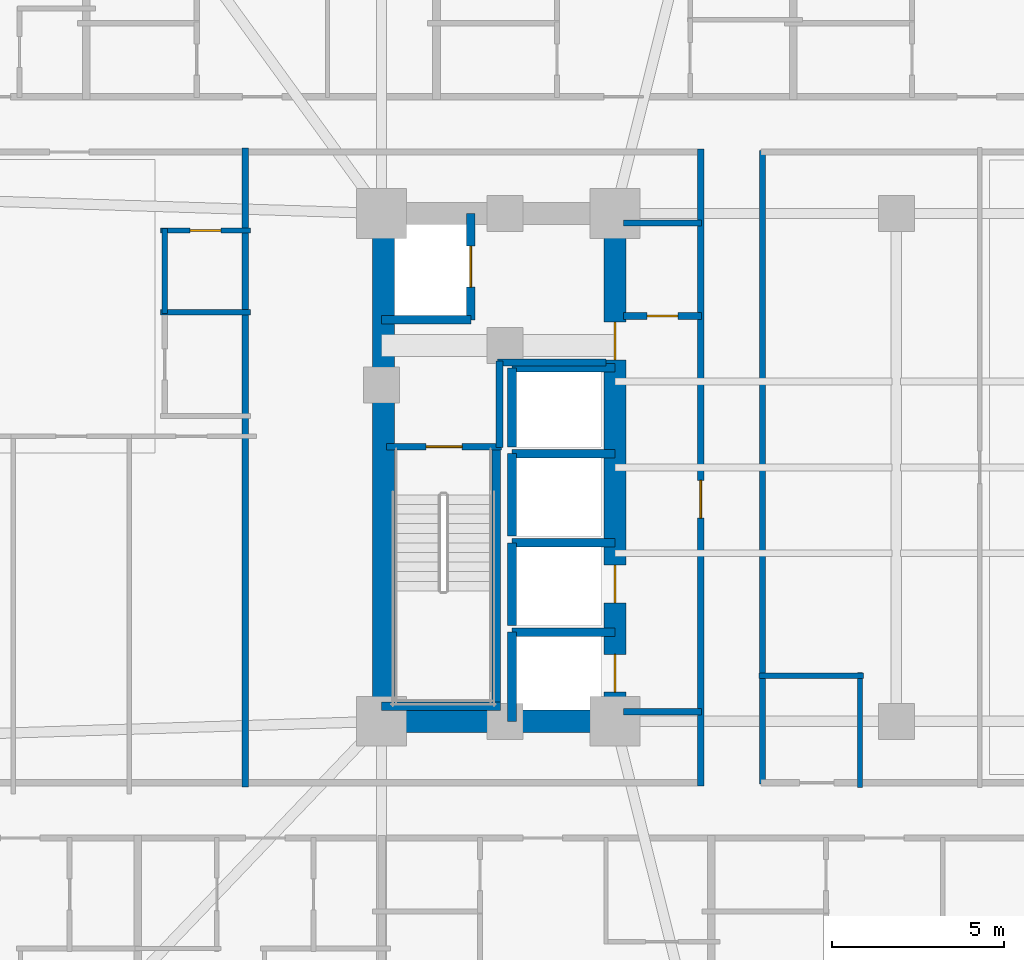
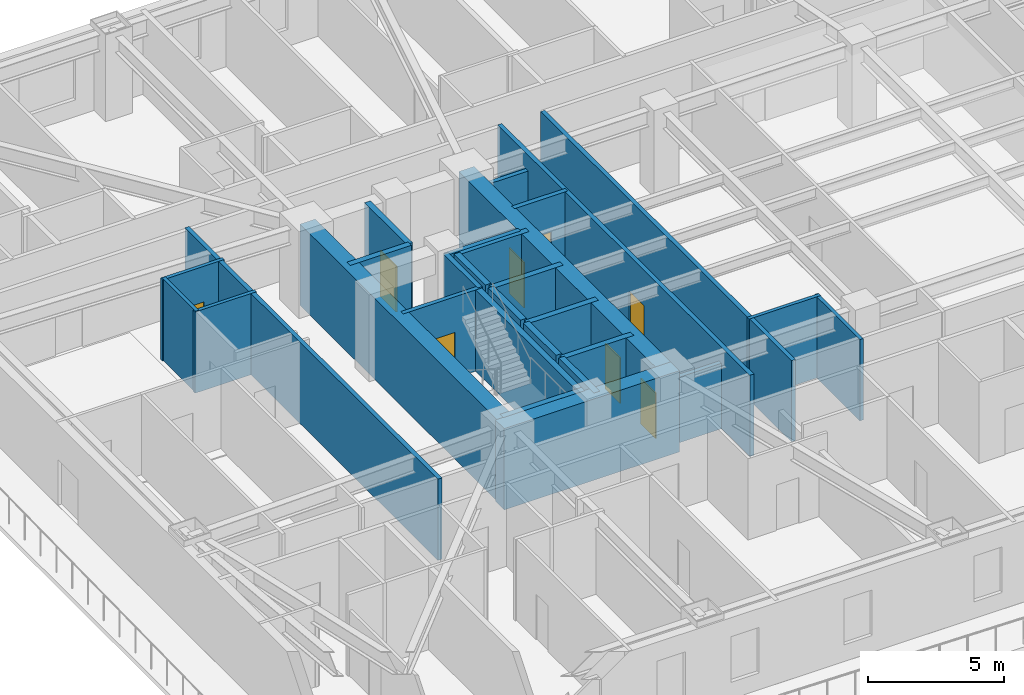
# One storey, part 4 of 14: 29 walls, 8 doors, 8 openings.
"""IFC4 building model written with IfcOpenShell, lengths in metres."""

import ifcopenshell
import ifcopenshell.guid

model = None  # the IFC model being written
_history = None  # IfcOwnerHistory: only IFC2X3 demands one
_inside = {}  # id of a spatial element -> (the spatial element, [elements in it])
_under = {}  # id of a project, library or spatial element -> (it, [spatial elements below it])
_declared = {}  # id of a project -> (the project, [libraries it declares])
_typed = {}  # id of a type object -> (the type object, [elements of that type])
_made_of = {}  # id of a material, layer set ... -> (it, [elements and type objects made of it])


def new_model(schema):
    """Start an empty IFC model of exactly this schema.

    Asked for "IFC4X3", IfcOpenShell would pick the latest addendum, in which some entities
    have other attributes; the version numbers below select the first issue.
    IFC2X3 requires an IfcOwnerHistory on every rooted entity: one is made here for all.
    """
    global model, _history
    if schema == "IFC4X3":
        model = ifcopenshell.file(schema_version=(4, 3, 0, 0))
    else:
        model = ifcopenshell.file(schema=schema)
    _inside.clear()
    _under.clear()
    _declared.clear()
    _typed.clear()
    _made_of.clear()
    _history = None
    if model.schema == "IFC2X3":
        org = make("IfcOrganization", Name="unknown")
        user = make(
            "IfcPersonAndOrganization",
            ThePerson=make("IfcPerson", FamilyName="unknown"),
            TheOrganization=org,
        )
        app = make(
            "IfcApplication",
            ApplicationDeveloper=org,
            Version="unknown",
            ApplicationFullName="unknown",
            ApplicationIdentifier="unknown",
        )
        _history = make(
            "IfcOwnerHistory",
            OwningUser=user,
            OwningApplication=app,
            ChangeAction="ADDED",
            CreationDate=0,
        )
    return model


def make(cls, **values):
    """One entity of the class cls with the attributes given. An attribute that is None is left unset."""
    return model.create_entity(
        cls, **{name: value for name, value in values.items() if value is not None}
    )


def rooted(cls, **values):
    """An entity with a GlobalId (a new one), such as an element, a storey or a relation."""
    return make(cls, GlobalId=ifcopenshell.guid.new(), OwnerHistory=_history, **values)


def si_unit(unit_type, name, prefix=None):
    """IfcSIUnit, for example si_unit("LENGTHUNIT", "METRE", prefix="MILLI")."""
    return make("IfcSIUnit", UnitType=unit_type, Prefix=prefix, Name=name)


def assignment(units):
    """IfcUnitAssignment: the units of a project."""
    return None if units is None else make("IfcUnitAssignment", Units=units)


def point(xyz):
    """IfcCartesianPoint."""
    return None if xyz is None else make("IfcCartesianPoint", Coordinates=xyz)


def direction(xyz):
    """IfcDirection."""
    return None if xyz is None else make("IfcDirection", DirectionRatios=xyz)


def frame(location, z_axis=None, x_axis=None):
    """IfcAxis2Placement3D, a coordinate frame: its origin and axes. An axis left out is left unset."""
    return make(
        "IfcAxis2Placement3D",
        Location=point(location),
        Axis=direction(z_axis),
        RefDirection=direction(x_axis),
    )


def frame_2d(location, x_axis=None):
    """IfcAxis2Placement2D, a coordinate frame in the plane: its origin and x axis."""
    return make(
        "IfcAxis2Placement2D", Location=point(location), RefDirection=direction(x_axis)
    )


def origin():
    """The frame at (0, 0, 0) with its axes left unset."""
    return frame((0.0, 0.0, 0.0))


def place(relative_to, where):
    """IfcLocalPlacement: puts the frame where relative to a parent placement (None: the world)."""
    return make(
        "IfcLocalPlacement", PlacementRelTo=relative_to, RelativePlacement=where
    )


def context(
    kind, dimensions, precision=None, world=None, true_north=None, identifier=None
):
    """IfcGeometricRepresentationContext, for example the 3D "Model" context."""
    return make(
        "IfcGeometricRepresentationContext",
        ContextIdentifier=identifier,
        ContextType=kind,
        CoordinateSpaceDimension=dimensions,
        Precision=precision,
        WorldCoordinateSystem=world,
        TrueNorth=true_north,
    )


def subcontext(parent, identifier, kind, view, scale=None):
    """IfcGeometricRepresentationSubContext, for example "Body" below "Model"."""
    return make(
        "IfcGeometricRepresentationSubContext",
        ContextIdentifier=identifier,
        ContextType=kind,
        ParentContext=parent,
        TargetScale=scale,
        TargetView=view,
    )


def project(units=None, contexts=None):
    """IfcProject with its units and contexts."""
    return rooted(
        "IfcProject",
        Name="project",
        RepresentationContexts=contexts,
        UnitsInContext=assignment(units),
    )


def spatial(cls, under=None, at=None, **own):
    """A site, building, storey or space (cls), placed at a placement, below another one or the project."""
    s = rooted(cls, ObjectPlacement=at, **own)
    if under is not None:
        _under.setdefault(under.id(), (under, []))[1].append(s)
    return s


def profile(cls, at=None, kind="AREA", **sizes):
    """A parametric profile (cls). Its sizes go by their IFC names, for example OverallWidth=200.0."""
    return make(cls, ProfileType=kind, Position=at, **sizes)


def rectangle(**sizes):
    """IfcRectangleProfileDef."""
    return profile("IfcRectangleProfileDef", **sizes)


def extrude(swept, where, along, depth):
    """IfcExtrudedAreaSolid: the profile swept, set in the frame where, extruded along a direction by depth."""
    return make(
        "IfcExtrudedAreaSolid",
        SweptArea=swept,
        Position=where,
        ExtrudedDirection=direction(along),
        Depth=depth,
    )


def shape(context_of_items, identifier, shape_type, items):
    """IfcShapeRepresentation: the items that make up one representation, for example the "Body"."""
    return make(
        "IfcShapeRepresentation",
        ContextOfItems=context_of_items,
        RepresentationIdentifier=identifier,
        RepresentationType=shape_type,
        Items=items,
    )


def material(Name=None, Category=None):
    """IfcMaterial."""
    return make("IfcMaterial", Name=Name, Category=Category)


def layer(
    of_material, thickness, ventilated=None, Name=None, Category=None, Priority=None
):
    """IfcMaterialLayer: one layer of a wall or slab, of a material (None: an air gap)."""
    return make(
        "IfcMaterialLayer",
        Material=of_material,
        LayerThickness=thickness,
        IsVentilated=ventilated,
        Name=Name,
        Category=Category,
        Priority=Priority,
    )


def layer_set(layers, Name=None):
    """IfcMaterialLayerSet."""
    return make("IfcMaterialLayerSet", MaterialLayers=layers, LayerSetName=Name)


def made_of(thing, what):
    """Note that an element or type object is made of a material, layer set ...; save() writes the relation."""
    if what is not None:
        _made_of.setdefault(what.id(), (what, []))[1].append(thing)
    return thing


def type_object(cls, material=None, **own):
    """A type object (cls), such as IfcWallType, which elements share."""
    return made_of(rooted(cls, **own), material)


def element(
    cls,
    number,
    at=None,
    inside=None,
    cuts=None,
    type_object=None,
    material=None,
    context=None,
    identifier="Body",
    shape_type=None,
    held_by="IfcProductDefinitionShape",
    body=None,
    shapes=None,
    **own,
):
    """One element of the class cls, such as IfcWall. Its Tag is "e" and its number.

    at: its placement. inside: the storey or other place that contains it. cuts: it is an
    opening in that element (IfcRelVoidsElement). A single representation is given by context,
    identifier, shape_type and body (its items); several are given by shapes. held_by: the class
    of the entity that holds the representations. save() writes the other relations.
    """
    e = rooted(cls, Tag="e%d" % number, ObjectPlacement=at, **own)
    if body is not None:
        shapes = [shape(context, identifier, shape_type, body)]
    if shapes is not None:
        e.Representation = make(held_by, Representations=shapes)
    if inside is not None:
        _inside.setdefault(inside.id(), (inside, []))[1].append(e)
    if cuts is not None:
        rooted(
            "IfcRelVoidsElement", RelatingBuildingElement=cuts, RelatedOpeningElement=e
        )
    if type_object is not None:
        _typed.setdefault(type_object.id(), (type_object, []))[1].append(e)
    return made_of(e, material)


def fill(opening, filler):
    """IfcRelFillsElement: the door or window that sits in an opening."""
    return rooted(
        "IfcRelFillsElement",
        RelatingOpeningElement=opening,
        RelatedBuildingElement=filler,
    )


def aggregate(whole, parts):
    """IfcRelAggregates: a whole, such as a stair, and the parts it consists of."""
    return rooted("IfcRelAggregates", RelatingObject=whole, RelatedObjects=parts)


def save(model, path):
    """Write the relations noted so far, then the file.

    IfcRelAggregates (storeys below a building ...), IfcRelContainedInSpatialStructure (elements
    in a storey), IfcRelDefinesByType, IfcRelAssociatesMaterial and IfcRelDeclares: one each for
    every whole, place, type object, material and project.
    """
    for whole, parts in _under.values():
        aggregate(whole, parts)
    for where, things in _inside.values():
        rooted(
            "IfcRelContainedInSpatialStructure",
            RelatedElements=things,
            RelatingStructure=where,
        )
    for kind, things in _typed.values():
        rooted("IfcRelDefinesByType", RelatedObjects=things, RelatingType=kind)
    for what, things in _made_of.values():
        rooted("IfcRelAssociatesMaterial", RelatedObjects=things, RelatingMaterial=what)
    for by, libraries in _declared.values():
        rooted("IfcRelDeclares", RelatingContext=by, RelatedDefinitions=libraries)
    model.write(path)


model = new_model("IFC4")

# Units and contexts
model_context = context("Model", 3, precision=1e-05, world=origin(), true_north=direction((0.0, 1.0)))
body_context = subcontext(model_context, "Body", "Model", "MODEL_VIEW")
ifc_project = project(units=[si_unit("LENGTHUNIT", "METRE"), si_unit("AREAUNIT", "SQUARE_METRE"), si_unit("VOLUMEUNIT", "CUBIC_METRE"), si_unit("PLANEANGLEUNIT", "RADIAN"), si_unit("MASSUNIT", "GRAM", prefix="KILO")], contexts=[model_context])

# Site, building, storey
site_placement = place(None, origin())
site = spatial("IfcSite", under=ifc_project, at=site_placement, CompositionType="ELEMENT")
building_placement = place(site_placement, origin())
building = spatial("IfcBuilding", under=site, at=building_placement, Name="Voryun Gate Residences", CompositionType="ELEMENT")
storey_placement = place(building_placement, frame((0.0, 0.0, 53.300048828125)))
storey = spatial("IfcBuildingStorey", under=building, at=storey_placement, Name="L12", CompositionType="ELEMENT", Elevation=53.300048828125)

# Walls
ifc_material_1 = material(Name="Concrete C60/75", Category="concrete")
ifc_layer_1 = layer(ifc_material_1, 0.64990234375, Name="CW_CORE_650")
ifc_layer_set_1 = layer_set([ifc_layer_1], Name="Concrete C60/75")
wall_type_1 = type_object("IfcWallType", Name="CW_CORE_650", PredefinedType="SHEAR", material=ifc_layer_set_1)
wall_1_placement = place(storey_placement, frame((-19.52490234375, -7.39990234375, 0.0), z_axis=(0.0, 0.0, 1.0), x_axis=(1.0, 0.0, 0.0)))
element("IfcWall", 1, at=wall_1_placement, inside=storey, type_object=wall_type_1, Name="L12 Core shear wall CW-L12-WS", PredefinedType="SHEAR", context=body_context, shape_type="SweptSolid", body=[
    extrude(rectangle(XDim=7.449951171875, YDim=0.64990234375, at=frame_2d((3.72509765625, 0.0))), origin(), (0.0, 0.0, 1.0), 3.64990234375),
])
wall_2_placement = place(storey_placement, frame((-19.14501953125, -7.39990234375, 0.0), z_axis=(0.0, 0.0, 1.0), x_axis=(0.0, 1.0, 0.0)))
element("IfcWall", 2, at=wall_2_placement, inside=storey, type_object=wall_type_1, Name="L12 Core shear wall CW-L12-WW", PredefinedType="SHEAR", context=body_context, shape_type="SweptSolid", body=[
    extrude(rectangle(XDim=14.7998046875, YDim=0.64990234375, at=frame_2d((7.39990234375, 0.0))), origin(), (0.0, 0.0, 1.0), 3.64990234375),
])

# Wall, openings, doors
wall_3_placement = place(storey_placement, frame((-12.39990234375, -7.39990234375, 0.0), z_axis=(0.0, 0.0, 1.0), x_axis=(0.0, 1.0, 0.0)))
wall_3 = element("IfcWall", 3, at=wall_3_placement, inside=storey, type_object=wall_type_1, Name="L12 Core shear wall CW-L12-WE", PredefinedType="SHEAR", context=body_context, shape_type="SweptSolid", body=[
    extrude(rectangle(XDim=14.7998046875, YDim=0.64990234375, at=frame_2d((7.39990234375, 0.0))), origin(), (0.0, 0.0, 1.0), 3.64990234375),
])
opening_1_placement = place(wall_3_placement, frame((0.85009765625, 0.0, 0.0)))
opening_1 = element("IfcOpeningElement", 4, at=opening_1_placement, cuts=wall_3, Name="Opening LD2", PredefinedType="OPENING", context=body_context, shape_type="SweptSolid", body=[
    extrude(rectangle(XDim=1.10009765625, YDim=2.050048828125, at=frame_2d((0.550048828125, 1.02490234375))), frame((0.0, 0.3349609375, 0.0), z_axis=(0.0, -1.0, 0.0), x_axis=(1.0, 0.0, 0.0)), (0.0, 0.0, 1.0), 0.669921875),
])
opening_2_placement = place(wall_3_placement, frame((3.449951171875, 0.0, 0.0)))
opening_2 = element("IfcOpeningElement", 5, at=opening_2_placement, cuts=wall_3, Name="Opening LD2", PredefinedType="OPENING", context=body_context, shape_type="SweptSolid", body=[
    extrude(rectangle(XDim=1.10009765625, YDim=2.050048828125, at=frame_2d((0.550048828125, 1.02490234375))), frame((0.0, 0.3349609375, 0.0), z_axis=(0.0, -1.0, 0.0), x_axis=(1.0, 0.0, 0.0)), (0.0, 0.0, 1.0), 0.669921875),
])
opening_3_placement = place(wall_3_placement, frame((10.530029296875, 0.0, 0.0)))
opening_3 = element("IfcOpeningElement", 6, at=opening_3_placement, cuts=wall_3, Name="Opening D-FD60-2", PredefinedType="OPENING", context=body_context, shape_type="SweptSolid", body=[
    extrude(rectangle(XDim=1.10009765625, YDim=2.050048828125, at=frame_2d((0.550048828125, 1.02490234375))), frame((0.0, 0.3349609375, 0.0), z_axis=(0.0, -1.0, 0.0), x_axis=(1.0, 0.0, 0.0)), (0.0, 0.0, 1.0), 0.669921875),
])
ifc_material_2 = material(Name="Painted steel fire door", Category="steel")
door_type_1 = type_object("IfcDoorType", Name="DR_FD60_FFLOB_1100", OperationType="NOTDEFINED", PredefinedType="DOOR", material=ifc_material_2)
door_1_placement = place(opening_3_placement, origin())
door_1 = element("IfcDoor", 7, at=door_1_placement, inside=storey, type_object=door_type_1, Name="Door DR-L12-CLOB-W", OperationType="SINGLE_SWING_LEFT", OverallHeight=2.050048828125, OverallWidth=1.10009765625, PredefinedType="DOOR", context=body_context, shape_type="SweptSolid", body=[
    extrude(rectangle(XDim=1.10009765625, YDim=2.050048828125, at=frame_2d((0.550048828125, 1.02490234375))), frame((0.0, 0.02490234375, 0.0), z_axis=(0.0, -1.0, 0.0), x_axis=(1.0, 0.0, 0.0)), (0.0, 0.0, 1.0), 0.050048828125),
])
fill(opening_3, door_1)
ifc_material_3 = material(Name="Anodised aluminium", Category="aluminium")
door_type_2 = type_object("IfcDoorType", Name="DR_LD_PASS_1100", OperationType="NOTDEFINED", PredefinedType="DOOR", material=ifc_material_3)
door_2_placement = place(opening_1_placement, origin())
door_2 = element("IfcDoor", 8, at=door_2_placement, inside=storey, type_object=door_type_2, Name="Lift EL-P1 sliding landing door L12", OperationType="SLIDING_TO_LEFT", OverallHeight=2.050048828125, OverallWidth=1.10009765625, PredefinedType="DOOR", context=body_context, shape_type="SweptSolid", body=[
    extrude(rectangle(XDim=1.10009765625, YDim=2.050048828125, at=frame_2d((0.550048828125, 1.02490234375))), frame((0.0, 0.02490234375, 0.0), z_axis=(0.0, -1.0, 0.0), x_axis=(1.0, 0.0, 0.0)), (0.0, 0.0, 1.0), 0.050048828125),
])
fill(opening_1, door_2)
door_3_placement = place(opening_2_placement, origin())
door_3 = element("IfcDoor", 9, at=door_3_placement, inside=storey, type_object=door_type_2, Name="Lift EL-P2 sliding landing door L12", OperationType="SLIDING_TO_LEFT", OverallHeight=2.050048828125, OverallWidth=1.10009765625, PredefinedType="DOOR", context=body_context, shape_type="SweptSolid", body=[
    extrude(rectangle(XDim=1.10009765625, YDim=2.050048828125, at=frame_2d((0.550048828125, 1.02490234375))), frame((0.0, 0.02490234375, 0.0), z_axis=(0.0, -1.0, 0.0), x_axis=(1.0, 0.0, 0.0)), (0.0, 0.0, 1.0), 0.050048828125),
])
fill(opening_2, door_3)

# Wall, opening, door
ifc_material_4 = material(Name="Gypsum acoustic fireboard")
ifc_layer_2 = layer(ifc_material_4, 0.179931640625, Name="W_CORR_RATED_180")
ifc_layer_set_2 = layer_set([ifc_layer_2], Name="Gypsum acoustic fireboard")
wall_type_2 = type_object("IfcWallType", Name="W_CORR_RATED_180", PredefinedType="PARTITIONING", material=ifc_layer_set_2)
wall_4_placement = place(storey_placement, frame((-19.06005859375, 0.60009765625, 0.0), z_axis=(0.0, 0.0, 1.0), x_axis=(1.0, 0.0, 0.0)))
wall_4 = element("IfcWall", 10, at=wall_4_placement, inside=storey, type_object=wall_type_2, Name="Partition wall WP-L12-STV-W", PredefinedType="PARTITIONING", context=body_context, shape_type="SweptSolid", body=[
    extrude(rectangle(XDim=3.360107421875, YDim=0.179931640625, at=frame_2d((1.68017578125, 0.0))), origin(), (0.0, 0.0, 1.0), 3.64990234375),
])
opening_4_placement = place(wall_4_placement, frame((1.155029296875, 0.0, 0.0)))
opening_4 = element("IfcOpeningElement", 11, at=opening_4_placement, cuts=wall_4, Name="Opening D-FD60-1", PredefinedType="OPENING", context=body_context, shape_type="SweptSolid", body=[
    extrude(rectangle(XDim=1.050048828125, YDim=2.050048828125, at=frame_2d((0.52490234375, 1.02490234375))), frame((0.0, 0.099853515625, 0.0), z_axis=(0.0, -1.0, 0.0), x_axis=(1.0, 0.0, 0.0)), (0.0, 0.0, 1.0), 0.199951171875),
])
ifc_material_5 = material(Name="Painted steel fire door", Category="steel")
door_type_3 = type_object("IfcDoorType", Name="DR_FD60_STAIR_1050", OperationType="NOTDEFINED", PredefinedType="DOOR", material=ifc_material_5)
door_4_placement = place(opening_4_placement, origin())
door_4 = element("IfcDoor", 12, at=door_4_placement, inside=storey, type_object=door_type_3, Name="Door DR-L12-ST-W", OperationType="SINGLE_SWING_LEFT", OverallHeight=2.050048828125, OverallWidth=1.050048828125, PredefinedType="DOOR", context=body_context, shape_type="SweptSolid", body=[
    extrude(rectangle(XDim=1.050048828125, YDim=2.050048828125, at=frame_2d((0.52490234375, 1.02490234375))), frame((0.0, 0.02490234375, 0.0), z_axis=(0.0, -1.0, 0.0), x_axis=(1.0, 0.0, 0.0)), (0.0, 0.0, 1.0), 0.050048828125),
])
fill(opening_4, door_4)

# Walls
for number, where, z_axis, x_axis, name in (
    (13, (-12.14990234375, 7.1201171875, 0.0), (0.0, 0.0, 1.0), (1.0, 0.0, 0.0), "Partition wall WP-L12-PLBN-W"),
    (14, (-12.14990234375, -7.1201171875, 0.0), (0.0, 0.0, 1.0), (1.0, 0.0, 0.0), "Partition wall WP-L12-PLBS-W"),
):
    element("IfcWall", number, at=place(storey_placement, frame(where, z_axis=z_axis, x_axis=x_axis)), inside=storey, type_object=wall_type_2, Name=name, PredefinedType="PARTITIONING", context=body_context, shape_type="SweptSolid", body=[
        extrude(rectangle(XDim=2.27001953125, YDim=0.179931640625, at=frame_2d((1.135009765625, 0.0))), origin(), (0.0, 0.0, 1.0), 2.93994140625),
    ])

# Wall, opening, door
wall_5_placement = place(storey_placement, frame((-9.89990234375, -9.280029296875, 0.0), z_axis=(0.0, 0.0, 1.0), x_axis=(0.0, 1.0, 0.0)))
wall_5 = element("IfcWall", 15, at=wall_5_placement, inside=storey, type_object=wall_type_2, Name="Partition wall WP-L12-PLBW-FULL", PredefinedType="PARTITIONING", context=body_context, shape_type="SweptSolid", body=[
    extrude(rectangle(XDim=18.56005859375, YDim=0.179931640625, at=frame_2d((9.280029296875, 0.0))), origin(), (0.0, 0.0, 1.0), 3.64990234375),
])
opening_5_placement = place(wall_5_placement, frame((7.802001953125, 0.0, 0.0)))
opening_5 = element("IfcOpeningElement", 16, at=opening_5_placement, cuts=wall_5, Name="Opening D-FD60-2", PredefinedType="OPENING", context=body_context, shape_type="SweptSolid", body=[
    extrude(rectangle(XDim=1.10009765625, YDim=2.050048828125, at=frame_2d((0.550048828125, 1.02490234375))), frame((0.0, 0.099853515625, 0.0), z_axis=(0.0, -1.0, 0.0), x_axis=(1.0, 0.0, 0.0)), (0.0, 0.0, 1.0), 0.199951171875),
])
door_5_placement = place(opening_5_placement, origin())
door_5 = element("IfcDoor", 17, at=door_5_placement, inside=storey, type_object=door_type_1, Name="Door DR-L12-PLBW-COR", OperationType="SINGLE_SWING_LEFT", OverallHeight=2.050048828125, OverallWidth=1.10009765625, PredefinedType="DOOR", context=body_context, shape_type="SweptSolid", body=[
    extrude(rectangle(XDim=1.10009765625, YDim=2.050048828125, at=frame_2d((0.550048828125, 1.02490234375))), frame((0.0, 0.02490234375, 0.0), z_axis=(0.0, -1.0, 0.0), x_axis=(1.0, 0.0, 0.0)), (0.0, 0.0, 1.0), 0.050048828125),
])
fill(opening_5, door_5)

# Walls
wall_6_placement = place(storey_placement, frame((-8.10009765625, -9.22998046875, 0.0), z_axis=(0.0, 0.0, 1.0), x_axis=(0.0, 1.0, 0.0)))
element("IfcWall", 18, at=wall_6_placement, inside=storey, type_object=wall_type_2, Name="Partition wall WP-L12-Z1W", PredefinedType="PARTITIONING", context=body_context, shape_type="SweptSolid", body=[
    extrude(rectangle(XDim=18.4599609375, YDim=0.179931640625, at=frame_2d((9.22998046875, 0.0))), origin(), (0.0, 0.0, 1.0), 3.64990234375),
])
wall_7_placement = place(storey_placement, frame((-23.169921875, -9.31005859375, 0.0), z_axis=(0.0, 0.0, 1.0), x_axis=(0.0, 1.0, 0.0)))
element("IfcWall", 19, at=wall_7_placement, inside=storey, type_object=wall_type_2, Name="Partition wall WP-L12-WCOR", PredefinedType="PARTITIONING", context=body_context, shape_type="SweptSolid", body=[
    extrude(rectangle(XDim=18.6201171875, YDim=0.179931640625, at=frame_2d((9.31005859375, 0.0))), origin(), (0.0, 0.0, 1.0), 3.64990234375),
])
ifc_material_6 = material(Name="Concrete C40/50", Category="concrete")
ifc_layer_3 = layer(ifc_material_6, 0.199951171875, Name="W_FF_LOBBY_200")
ifc_layer_set_3 = layer_set([ifc_layer_3], Name="Concrete C40/50")
wall_type_3 = type_object("IfcWallType", Name="W_FF_LOBBY_200", PredefinedType="PARTITIONING", material=ifc_layer_set_3)
wall_8_placement = place(storey_placement, frame((-15.760009765625, 0.580078125, 0.0), z_axis=(0.0, 0.0, 1.0), x_axis=(0.0, 1.0, 0.0)))
element("IfcWall", 20, at=wall_8_placement, inside=storey, type_object=wall_type_3, Name="Partition wall WP-L12-FFP0-W", PredefinedType="PARTITIONING", context=body_context, shape_type="SweptSolid", body=[
    extrude(rectangle(XDim=2.52001953125, YDim=0.199951171875, at=frame_2d((1.260009765625, 0.0))), origin(), (0.0, 0.0, 1.0), 3.64990234375),
])
wall_9_placement = place(storey_placement, frame((-15.820068359375, 3.06005859375, 0.0), z_axis=(0.0, 0.0, 1.0), x_axis=(1.0, 0.0, 0.0)))
element("IfcWall", 21, at=wall_9_placement, inside=storey, type_object=wall_type_3, Name="Partition wall WP-L12-FFPS-W", PredefinedType="PARTITIONING", context=body_context, shape_type="SweptSolid", body=[
    extrude(rectangle(XDim=3.16015625, YDim=0.199951171875, at=frame_2d((1.580078125, 0.0))), origin(), (0.0, 0.0, 1.0), 3.64990234375),
])

# Wall, opening, door
wall_10_placement = place(storey_placement, frame((-12.14990234375, 4.409912109375, 0.0), z_axis=(0.0, 0.0, 1.0), x_axis=(1.0, 0.0, 0.0)))
wall_10 = element("IfcWall", 22, at=wall_10_placement, inside=storey, type_object=wall_type_3, Name="Partition wall WP-L12-CSFLKS-W", PredefinedType="PARTITIONING", context=body_context, shape_type="SweptSolid", body=[
    extrude(rectangle(XDim=2.27001953125, YDim=0.199951171875, at=frame_2d((1.135009765625, 0.0))), origin(), (0.0, 0.0, 1.0), 3.64990234375),
])
opening_6_placement = place(wall_10_placement, frame((0.68505859375, 0.0, 0.0)))
opening_6 = element("IfcOpeningElement", 23, at=opening_6_placement, cuts=wall_10, Name="Opening D-FD60-4", PredefinedType="OPENING", context=body_context, shape_type="SweptSolid", body=[
    extrude(rectangle(XDim=0.89990234375, YDim=2.050048828125, at=frame_2d((0.449951171875, 1.02490234375))), frame((0.0, 0.110107421875, 0.0), z_axis=(0.0, -1.0, 0.0), x_axis=(1.0, 0.0, 0.0)), (0.0, 0.0, 1.0), 0.219970703125),
])
ifc_material_7 = material(Name="Painted steel fire door", Category="steel")
door_type_4 = type_object("IfcDoorType", Name="DR_FD60_RISER_900", OperationType="NOTDEFINED", PredefinedType="DOOR", material=ifc_material_7)
door_6_placement = place(opening_6_placement, origin())
door_6 = element("IfcDoor", 24, at=door_6_placement, inside=storey, type_object=door_type_4, Name="Door DR-L12-CSFLK-W", OperationType="SINGLE_SWING_LEFT", OverallHeight=2.050048828125, OverallWidth=0.89990234375, PredefinedType="DOOR", context=body_context, shape_type="SweptSolid", body=[
    extrude(rectangle(XDim=0.89990234375, YDim=2.050048828125, at=frame_2d((0.449951171875, 1.02490234375))), frame((0.0, 0.02490234375, 0.0), z_axis=(0.0, -1.0, 0.0), x_axis=(1.0, 0.0, 0.0)), (0.0, 0.0, 1.0), 0.050048828125),
])
fill(opening_6, door_6)

# Walls
ifc_material_8 = material(Name="Concrete C50/60", Category="concrete")
ifc_layer_4 = layer(ifc_material_8, 0.25, Name="W_SHAFT_RC250")
ifc_layer_set_4 = layer_set([ifc_layer_4], Name="Concrete C50/60")
wall_type_4 = type_object("IfcWallType", Name="W_SHAFT_RC250", PredefinedType="SOLIDWALL", material=ifc_layer_set_4)
wall_11_placement = place(storey_placement, frame((-15.860107421875, -7.0849609375, 0.0), z_axis=(0.0, 0.0, 1.0), x_axis=(0.0, 1.0, 0.0)))
element("IfcWall", 25, at=wall_11_placement, inside=storey, type_object=wall_type_4, Name="L12 Stair shaft structural wall W-STR", PredefinedType="SOLIDWALL", context=body_context, shape_type="SweptSolid", body=[
    extrude(rectangle(XDim=7.68505859375, YDim=0.25, at=frame_2d((3.842529296875, 0.0))), origin(), (0.0, 0.0, 1.0), 3.64990234375),
])
wall_12_placement = place(storey_placement, frame((-19.199951171875, -6.965087890625, 0.0), z_axis=(0.0, 0.0, 1.0), x_axis=(1.0, 0.0, 0.0)))
element("IfcWall", 26, at=wall_12_placement, inside=storey, type_object=wall_type_4, Name="L12 Stair shaft structural wall W-STS", PredefinedType="SOLIDWALL", context=body_context, shape_type="SweptSolid", body=[
    extrude(rectangle(XDim=3.4599609375, YDim=0.25, at=frame_2d((1.72998046875, 0.0))), origin(), (0.0, 0.0, 1.0), 3.64990234375),
])
wall_13_placement = place(storey_placement, frame((-19.199951171875, 4.300048828125, 0.0), z_axis=(0.0, 0.0, 1.0), x_axis=(1.0, 0.0, 0.0)))
element("IfcWall", 27, at=wall_13_placement, inside=storey, type_object=wall_type_4, Name="Lift shaft wall WSH-L12-EL-FF-W1-S", PredefinedType="SOLIDWALL", context=body_context, shape_type="SweptSolid", body=[
    extrude(rectangle(XDim=2.599853515625, YDim=0.25, at=frame_2d((1.2998046875, 0.0))), origin(), (0.0, 0.0, 1.0), 3.64990234375),
])

# Wall, opening, door
wall_14_placement = place(storey_placement, frame((-16.60009765625, 4.300048828125, 0.0), z_axis=(0.0, 0.0, 1.0), x_axis=(0.0, 1.0, 0.0)))
wall_14 = element("IfcWall", 28, at=wall_14_placement, inside=storey, type_object=wall_type_4, Name="Lift shaft wall WSH-L12-EL-FF-W1-E", PredefinedType="SOLIDWALL", context=body_context, shape_type="SweptSolid", body=[
    extrude(rectangle(XDim=3.099853515625, YDim=0.25, at=frame_2d((1.5498046875, 0.0))), origin(), (0.0, 0.0, 1.0), 3.64990234375),
])
opening_7_placement = place(wall_14_placement, frame((0.949951171875, 0.0, 0.0)))
opening_7 = element("IfcOpeningElement", 29, at=opening_7_placement, cuts=wall_14, Name="Opening LD1", PredefinedType="OPENING", context=body_context, shape_type="SweptSolid", body=[
    extrude(rectangle(XDim=1.199951171875, YDim=2.050048828125, at=frame_2d((0.60009765625, 1.02490234375))), frame((0.0, 0.135009765625, 0.0), z_axis=(0.0, -1.0, 0.0), x_axis=(1.0, 0.0, 0.0)), (0.0, 0.0, 1.0), 0.27001953125),
])
ifc_material_9 = material(Name="Anodised aluminium", Category="aluminium")
door_type_5 = type_object("IfcDoorType", Name="DR_LD_FF_1200", OperationType="NOTDEFINED", PredefinedType="DOOR", material=ifc_material_9)
door_7_placement = place(opening_7_placement, origin())
door_7 = element("IfcDoor", 30, at=door_7_placement, inside=storey, type_object=door_type_5, Name="Lift EL-FF-W1 sliding landing door L12", OperationType="SLIDING_TO_LEFT", OverallHeight=2.050048828125, OverallWidth=1.199951171875, PredefinedType="DOOR", context=body_context, shape_type="SweptSolid", body=[
    extrude(rectangle(XDim=1.199951171875, YDim=2.050048828125, at=frame_2d((0.60009765625, 1.02490234375))), frame((0.0, 0.02490234375, 0.0), z_axis=(0.0, -1.0, 0.0), x_axis=(1.0, 0.0, 0.0)), (0.0, 0.0, 1.0), 0.050048828125),
])
fill(opening_7, door_7)

# Walls
wall_15_placement = place(storey_placement, frame((-12.39990234375, -4.800048828125, 0.0), z_axis=(0.0, 0.0, 1.0), x_axis=(-1.0, 0.0, 0.0)))
element("IfcWall", 31, at=wall_15_placement, inside=storey, type_object=wall_type_4, Name="Lift shaft wall WSH-L12-EL-P1-N", PredefinedType="SOLIDWALL", context=body_context, shape_type="SweptSolid", body=[
    extrude(rectangle(XDim=3.0, YDim=0.25, at=frame_2d((1.5, 0.0))), origin(), (0.0, 0.0, 1.0), 3.64990234375),
])
wall_16_placement = place(storey_placement, frame((-15.39990234375, -4.800048828125, 0.0), z_axis=(0.0, 0.0, 1.0), x_axis=(0.0, -1.0, 0.0)))
element("IfcWall", 32, at=wall_16_placement, inside=storey, type_object=wall_type_4, Name="Lift shaft wall WSH-L12-EL-P1-W", PredefinedType="SOLIDWALL", context=body_context, shape_type="SweptSolid", body=[
    extrude(rectangle(XDim=2.599853515625, YDim=0.25, at=frame_2d((1.2998046875, 0.0))), origin(), (0.0, 0.0, 1.0), 3.64990234375),
])
wall_17_placement = place(storey_placement, frame((-12.39990234375, -2.199951171875, 0.0), z_axis=(0.0, 0.0, 1.0), x_axis=(-1.0, 0.0, 0.0)))
element("IfcWall", 33, at=wall_17_placement, inside=storey, type_object=wall_type_4, Name="Lift shaft wall WSH-L12-EL-P2-N", PredefinedType="SOLIDWALL", context=body_context, shape_type="SweptSolid", body=[
    extrude(rectangle(XDim=3.0, YDim=0.25, at=frame_2d((1.5, 0.0))), origin(), (0.0, 0.0, 1.0), 3.64990234375),
])
wall_18_placement = place(storey_placement, frame((-15.39990234375, -2.199951171875, 0.0), z_axis=(0.0, 0.0, 1.0), x_axis=(0.0, -1.0, 0.0)))
element("IfcWall", 34, at=wall_18_placement, inside=storey, type_object=wall_type_4, Name="Lift shaft wall WSH-L12-EL-P2-W", PredefinedType="SOLIDWALL", context=body_context, shape_type="SweptSolid", body=[
    extrude(rectangle(XDim=2.400146484375, YDim=0.25, at=frame_2d((1.2001953125, 0.0))), origin(), (0.0, 0.0, 1.0), 3.64990234375),
])
wall_19_placement = place(storey_placement, frame((-12.39990234375, 0.39990234375, 0.0), z_axis=(0.0, 0.0, 1.0), x_axis=(-1.0, 0.0, 0.0)))
element("IfcWall", 35, at=wall_19_placement, inside=storey, type_object=wall_type_4, Name="Lift shaft wall WSH-L12-EL-P4-N", PredefinedType="SOLIDWALL", context=body_context, shape_type="SweptSolid", body=[
    extrude(rectangle(XDim=3.0, YDim=0.25, at=frame_2d((1.5, 0.0))), origin(), (0.0, 0.0, 1.0), 3.64990234375),
])
wall_20_placement = place(storey_placement, frame((-15.39990234375, 0.39990234375, 0.0), z_axis=(0.0, 0.0, 1.0), x_axis=(0.0, -1.0, 0.0)))
element("IfcWall", 36, at=wall_20_placement, inside=storey, type_object=wall_type_4, Name="Lift shaft wall WSH-L12-EL-P4-W", PredefinedType="SOLIDWALL", context=body_context, shape_type="SweptSolid", body=[
    extrude(rectangle(XDim=2.39990234375, YDim=0.25, at=frame_2d((1.199951171875, 0.0))), origin(), (0.0, 0.0, 1.0), 3.64990234375),
])
wall_21_placement = place(storey_placement, frame((-12.39990234375, 2.89990234375, 0.0), z_axis=(0.0, 0.0, 1.0), x_axis=(-1.0, 0.0, 0.0)))
element("IfcWall", 37, at=wall_21_placement, inside=storey, type_object=wall_type_4, Name="Lift shaft wall WSH-L12-EL-P7-N", PredefinedType="SOLIDWALL", context=body_context, shape_type="SweptSolid", body=[
    extrude(rectangle(XDim=3.0, YDim=0.25, at=frame_2d((1.5, 0.0))), origin(), (0.0, 0.0, 1.0), 3.64990234375),
])
wall_22_placement = place(storey_placement, frame((-15.39990234375, 2.89990234375, 0.0), z_axis=(0.0, 0.0, 1.0), x_axis=(0.0, -1.0, 0.0)))
element("IfcWall", 38, at=wall_22_placement, inside=storey, type_object=wall_type_4, Name="Lift shaft wall WSH-L12-EL-P7-W", PredefinedType="SOLIDWALL", context=body_context, shape_type="SweptSolid", body=[
    extrude(rectangle(XDim=2.2998046875, YDim=0.25, at=frame_2d((1.14990234375, 0.0))), origin(), (0.0, 0.0, 1.0), 3.64990234375),
])
ifc_material_10 = material(Name="Gypsum moisture-resistant partition")
ifc_layer_5 = layer(ifc_material_10, 0.14990234375, Name="W_WET_PLUMB_150")
ifc_layer_set_5 = layer_set([ifc_layer_5], Name="Gypsum moisture-resistant partition")
wall_type_5 = type_object("IfcWallType", Name="W_WET_PLUMB_150", PredefinedType="PLUMBINGWALL", material=ifc_layer_set_5)
wall_23_placement = place(storey_placement, frame((-5.260009765625, -9.320068359375, 0.0), z_axis=(0.0, 0.0, 1.0), x_axis=(0.0, 1.0, 0.0)))
element("IfcWall", 39, at=wall_23_placement, inside=storey, type_object=wall_type_5, Name="Partition wall WP-L12-CMWCX", PredefinedType="PLUMBINGWALL", context=body_context, shape_type="SweptSolid", body=[
    extrude(rectangle(XDim=3.35009765625, YDim=0.14990234375, at=frame_2d((1.675048828125, 0.0))), origin(), (0.0, 0.0, 1.0), 3.64990234375),
])
wall_24_placement = place(storey_placement, frame((-8.2099609375, -6.070068359375, 0.0), z_axis=(0.0, 0.0, 1.0), x_axis=(1.0, 0.0, 0.0)))
element("IfcWall", 40, at=wall_24_placement, inside=storey, type_object=wall_type_5, Name="Partition wall WP-L12-CMWCY", PredefinedType="PLUMBINGWALL", context=body_context, shape_type="SweptSolid", body=[
    extrude(rectangle(XDim=3.050048828125, YDim=0.14990234375, at=frame_2d((1.52490234375, 0.0))), origin(), (0.0, 0.0, 1.0), 3.64990234375),
])

# Wall, opening, door
wall_25_placement = place(storey_placement, frame((-25.639892578125, 6.89990234375, 0.0), z_axis=(0.0, 0.0, 1.0), x_axis=(1.0, 0.0, 0.0)))
wall_25 = element("IfcWall", 41, at=wall_25_placement, inside=storey, type_object=wall_type_5, Name="Partition wall WP-L12-W1-IBT", PredefinedType="PLUMBINGWALL", context=body_context, shape_type="SweptSolid", body=[
    extrude(rectangle(XDim=2.619873046875, YDim=0.14990234375, at=frame_2d((1.31005859375, 0.0))), origin(), (0.0, 0.0, 1.0), 3.64990234375),
])
opening_8_placement = place(wall_25_placement, frame((0.860107421875, 0.0, 0.0)))
opening_8 = element("IfcOpeningElement", 42, at=opening_8_placement, cuts=wall_25, Name="Opening D-INT-2", PredefinedType="OPENING", context=body_context, shape_type="SweptSolid", body=[
    extrude(rectangle(XDim=0.89990234375, YDim=2.050048828125, at=frame_2d((0.449951171875, 1.02490234375))), frame((0.0, 0.0849609375, 0.0), z_axis=(0.0, -1.0, 0.0), x_axis=(1.0, 0.0, 0.0)), (0.0, 0.0, 1.0), 0.169921875),
])
ifc_material_11 = material(Name="Architectural oak veneer")
door_type_6 = type_object("IfcDoorType", Name="DR_INT_BATH_900", OperationType="NOTDEFINED", PredefinedType="DOOR", material=ifc_material_11)
door_8_placement = place(opening_8_placement, origin())
door_8 = element("IfcDoor", 43, at=door_8_placement, inside=storey, type_object=door_type_6, Name="Door DR-L12-W1-DK", OperationType="SINGLE_SWING_LEFT", OverallHeight=2.050048828125, OverallWidth=0.89990234375, PredefinedType="DOOR", context=body_context, shape_type="SweptSolid", body=[
    extrude(rectangle(XDim=0.89990234375, YDim=2.050048828125, at=frame_2d((0.449951171875, 1.02490234375))), frame((0.0, 0.02490234375, 0.0), z_axis=(0.0, -1.0, 0.0), x_axis=(1.0, 0.0, 0.0)), (0.0, 0.0, 1.0), 0.050048828125),
])
fill(opening_8, door_8)

# Walls
wall_26_placement = place(storey_placement, frame((-25.639892578125, 4.52001953125, 0.0), z_axis=(0.0, 0.0, 1.0), x_axis=(1.0, 0.0, 0.0)))
element("IfcWall", 44, at=wall_26_placement, inside=storey, type_object=wall_type_5, Name="Partition wall WP-L12-W1-IKB", PredefinedType="PLUMBINGWALL", context=body_context, shape_type="SweptSolid", body=[
    extrude(rectangle(XDim=2.619873046875, YDim=0.14990234375, at=frame_2d((1.31005859375, 0.0))), origin(), (0.0, 0.0, 1.0), 3.64990234375),
])
wall_27_placement = place(storey_placement, frame((-25.52001953125, 4.47998046875, 0.0), z_axis=(0.0, 0.0, 1.0), x_axis=(0.0, 1.0, 0.0)))
element("IfcWall", 45, at=wall_27_placement, inside=storey, type_object=wall_type_5, Name="Partition wall WP-L12-W1-VTSK2", PredefinedType="PLUMBINGWALL", context=body_context, shape_type="SweptSolid", body=[
    extrude(rectangle(XDim=2.47998046875, YDim=0.14990234375, at=frame_2d((1.239990234375, 0.0))), origin(), (0.0, 0.0, 1.0), 3.64990234375),
])

save(model, "model.ifc")
